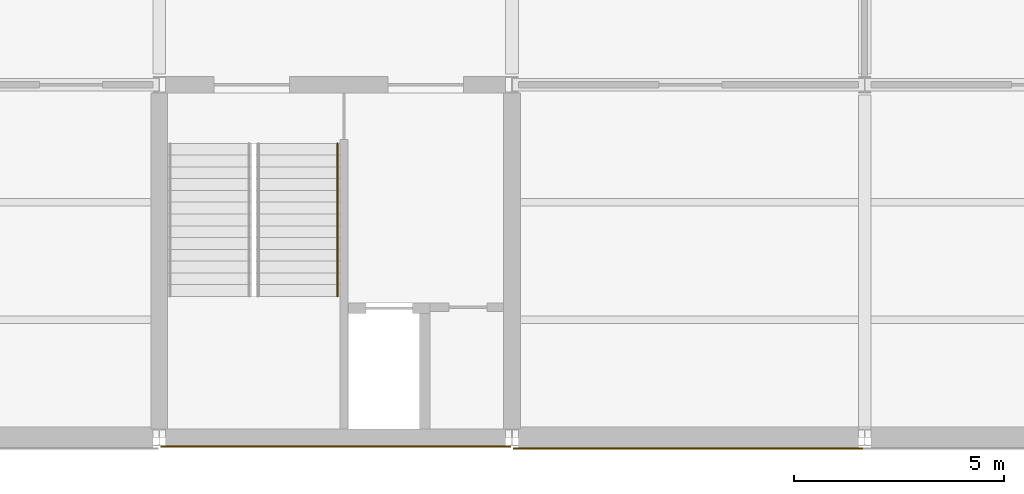
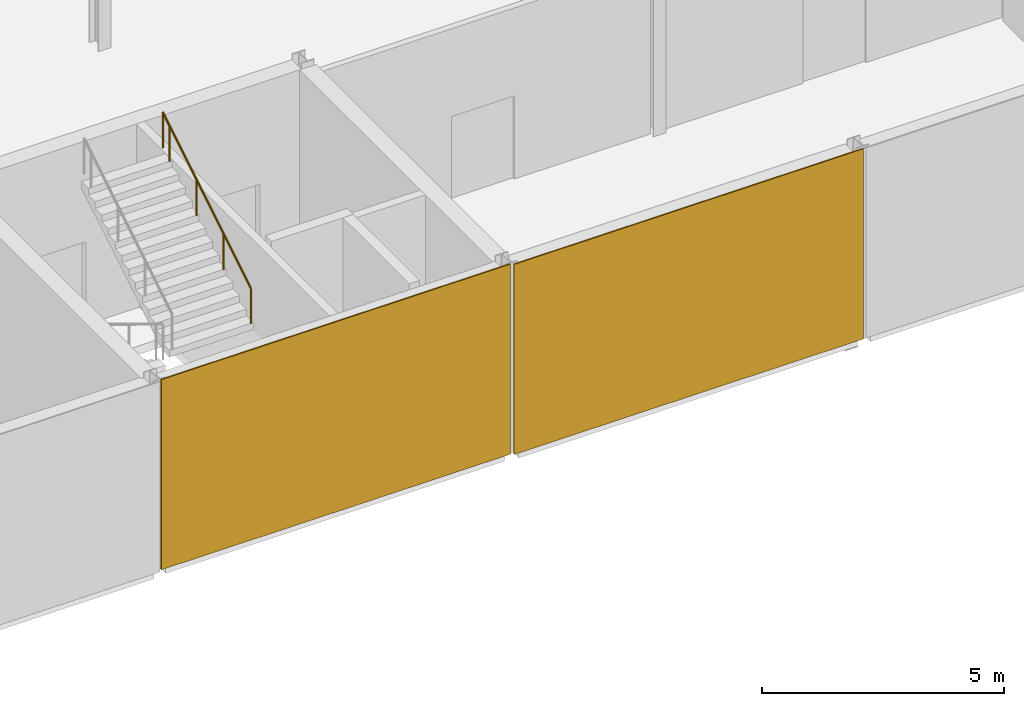
# One storey, part 46 of 52: 2 coverings, 1 railing.
"""IFC4 building model written with IfcOpenShell, lengths in metres."""

from ifc_helpers import new_model, si_unit, direction, frame, origin, origin_2d, place, context, subcontext, project, spatial, rectangle, circle, extrude, material, layer, layer_set, type_object, element, save


model = new_model("IFC4")

# Units and contexts
model_context = context("Model", 3, precision=1e-05, world=origin(), true_north=direction((0.0, 1.0)))
body_context = subcontext(model_context, "Body", "Model", "MODEL_VIEW")
ifc_project = project(units=[si_unit("LENGTHUNIT", "METRE"), si_unit("AREAUNIT", "SQUARE_METRE"), si_unit("VOLUMEUNIT", "CUBIC_METRE"), si_unit("PLANEANGLEUNIT", "RADIAN"), si_unit("MASSUNIT", "GRAM", prefix="KILO")], contexts=[model_context])

# Site, building, storey
site_placement = place(None, origin())
site = spatial("IfcSite", under=ifc_project, at=site_placement, CompositionType="ELEMENT")
building_placement = place(site_placement, origin())
building = spatial("IfcBuilding", under=site, at=building_placement, Name="Galleria Vessillo Department Store", CompositionType="ELEMENT")
storey_placement = place(building_placement, frame((0.0, 0.0, 16.199951171875)))
storey = spatial("IfcBuildingStorey", under=building, at=storey_placement, Name="L03", CompositionType="ELEMENT", Elevation=16.199951171875)

# Coverings
ifc_material_1 = material(Name="Lime plaster (intonaco) ochre")
ifc_layer = layer(ifc_material_1, 0.030029296875)
ifc_layer_set = layer_set([ifc_layer], Name="Lime plaster (intonaco) ochre")
covering_type = type_object("IfcCoveringType", Name="Lime plaster render 30 mm", PredefinedType="CLADDING", material=ifc_layer_set)
covering_1_placement = place(storey_placement, frame((79.800048828125, -0.215087890625, 0.0), z_axis=(0.0, 0.0, 1.0), x_axis=(1.0, 0.0, 0.0)))
element("IfcCovering", 1, at=covering_1_placement, inside=storey, type_object=covering_type, Name="Wall cladding S-CW-PC-SE-PARTY-L03", PredefinedType="CLADDING", context=body_context, shape_type="SweptSolid", body=[
    extrude(rectangle(XDim=8.33984375, YDim=0.030029296875, at=origin_2d()), origin(), (0.0, 0.0, 1.0), 4.800048828125),
])
covering_2_placement = place(storey_placement, frame((88.199951171875, -0.264892578125, 0.0), z_axis=(0.0, 0.0, 1.0), x_axis=(1.0, 0.0, 0.0)))
element("IfcCovering", 2, at=covering_2_placement, inside=storey, type_object=covering_type, Name="Wall cladding S-PS-L03-07", PredefinedType="CLADDING", context=body_context, shape_type="SweptSolid", body=[
    extrude(rectangle(XDim=8.340087890625, YDim=0.030029296875, at=origin_2d()), origin(), (0.0, 0.0, 1.0), 4.800048828125),
])

# Railing
ifc_material_2 = material(Name="Stainless steel tube", Category="steel")
railing_type = type_object("IfcRailingType", Name="Stair handrail steel tube 48 mm", PredefinedType="HANDRAIL", material=ifc_material_2)
railing_placement = place(storey_placement, frame((79.83984375, 3.360107421875, 2.571533203125)))
element("IfcRailing", 3, at=railing_placement, inside=storey, type_object=railing_type, Name="Handrail ST5 L03 flight 2B", PredefinedType="HANDRAIL", context=body_context, shape_type="SweptSolid", body=[
    extrude(circle(Radius=0.02392578125, at=origin_2d()), frame((0.0, 0.0, 0.89599609375), z_axis=(0.0, 0.852849614702, 0.52215661894), x_axis=(-1.0, 0.0, 0.0)), (0.0, 0.0, 1.0), 1.3134765625),
    extrude(circle(Radius=0.02392578125, at=origin_2d()), frame((0.0, 1.1201171875, 1.58154296875), z_axis=(0.0, 0.852798921012, 0.522239409008), x_axis=(-1.0, 0.0, 0.0)), (0.0, 0.0, 1.0), 1.313232421875),
    extrude(circle(Radius=0.02392578125, at=origin_2d()), frame((0.0, 2.239990234375, 2.267578125), z_axis=(0.0, 0.852932391421, 0.522021393877), x_axis=(-1.0, 0.0, 0.0)), (0.0, 0.0, 1.0), 1.313232421875),
    extrude(circle(Radius=0.02392578125, at=origin_2d()), frame((0.0, 3.360107421875, 2.953125), z_axis=(0.0, 0.852729557261, 0.522352660731), x_axis=(-1.0, 0.0, 0.0)), (0.0, 0.0, 1.0), 0.328125),
    extrude(circle(Radius=0.02099609375, at=origin_2d()), origin(), (0.0, 0.0, 1.0), 0.871826171875),
    extrude(circle(Radius=0.02099609375, at=origin_2d()), frame((0.0, 1.1201171875, 0.685791015625)), (0.0, 0.0, 1.0), 0.871826171875),
    extrude(circle(Radius=0.02099609375, at=origin_2d()), frame((0.0, 2.239990234375, 1.37158203125)), (0.0, 0.0, 1.0), 0.871826171875),
    extrude(circle(Radius=0.02099609375, at=origin_2d()), frame((0.0, 3.360107421875, 2.05712890625)), (0.0, 0.0, 1.0), 0.871826171875),
    extrude(circle(Radius=0.02099609375, at=origin_2d()), frame((0.0, 3.639892578125, 2.228515625)), (0.0, 0.0, 1.0), 0.871826171875),
])

save(model, "model.ifc")
